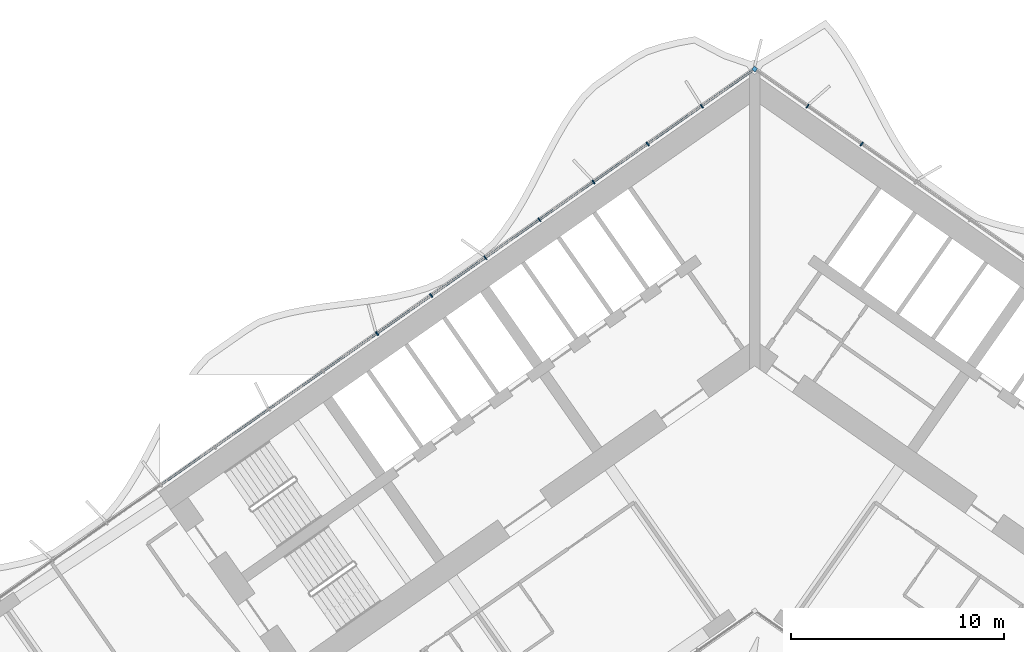
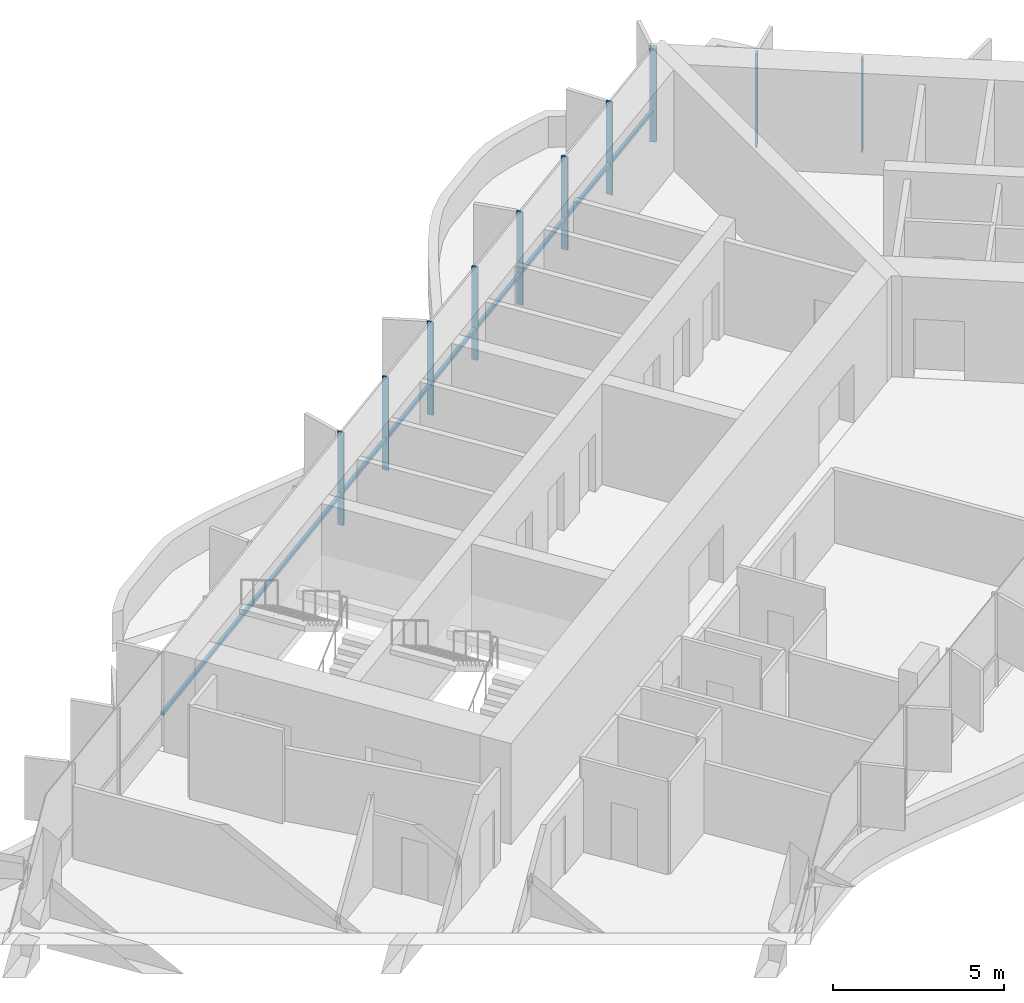
# One storey, part 7 of 23: 11 members, 1 element without a shape of its own.
"""IFC4 building model written with IfcOpenShell, lengths in metres."""

from ifc_helpers import new_model, si_unit, direction, frame, origin, origin_2d, place, context, subcontext, project, spatial, rectangle, extrude, material, material_profile, profile_set, type_object, element, aggregate, save


model = new_model("IFC4")

# Units and contexts
model_context = context("Model", 3, precision=1e-05, world=origin(), true_north=direction((0.0, 1.0)))
body_context = subcontext(model_context, "Body", "Model", "MODEL_VIEW")
ifc_project = project(units=[si_unit("LENGTHUNIT", "METRE"), si_unit("AREAUNIT", "SQUARE_METRE"), si_unit("VOLUMEUNIT", "CUBIC_METRE"), si_unit("PLANEANGLEUNIT", "RADIAN"), si_unit("MASSUNIT", "GRAM", prefix="KILO")], contexts=[model_context])

# Site, building, storey
site_placement = place(None, origin())
site = spatial("IfcSite", under=ifc_project, at=site_placement, CompositionType="ELEMENT")
building_placement = place(site_placement, origin())
building = spatial("IfcBuilding", under=site, at=building_placement, Name="Tel Ilan Convention Tower", CompositionType="ELEMENT")
storey_placement = place(building_placement, frame((0.0, 0.0, 108.5)))
storey = spatial("IfcBuildingStorey", under=building, at=storey_placement, Name="L23", CompositionType="ELEMENT", Elevation=108.5)

# Curtain wall, members
ifc_material_1 = material(Name="Aluminium, bronze anodised", Category="aluminium")
curtain_wall_type = type_object("IfcCurtainWallType", Name="CW2 STICK CURTAIN WALL, SPANDREL PANELS", PredefinedType="NOTDEFINED", material=ifc_material_1)
curtain_wall_placement = place(storey_placement, origin())
curtain_wall = element("IfcCurtainWall", 1, at=curtain_wall_placement, inside=storey, type_object=curtain_wall_type, Name="Curtain wall CW2-19.01", PredefinedType="NOTDEFINED")
ifc_material_2 = material(Name="Aluminium, bronze anodised", Category="aluminium")
ifc_material_profile_1 = material_profile(ifc_material_2, rectangle(XDim=0.199951171875, YDim=0.199951171875, at=origin_2d()), Name="CW CORNER MULLION 200x200")
ifc_profile_set_1 = profile_set([ifc_material_profile_1], Name="Aluminium, bronze anodised")
member_type_1 = type_object("IfcMemberType", Name="CW CORNER MULLION 200x200", PredefinedType="MULLION", material=ifc_profile_set_1)
member_1_placement = place(storey_placement, frame((0.0, 12.696044921875, 0.0), z_axis=(0.0, 0.0, 1.0), x_axis=(-0.819152044289, 0.573576436351, 0.0)))
member_1 = element("IfcMember", 2, at=member_1_placement, type_object=member_type_1, Name="Corner mullion", PredefinedType="MULLION", context=body_context, shape_type="SweptSolid", body=[
    extrude(rectangle(XDim=0.199951171875, YDim=0.199951171875, at=origin_2d()), origin(), (0.0, 0.0, 1.0), 3.320068359375),
])
ifc_material_3 = material(Name="Aluminium, bronze anodised", Category="aluminium")
ifc_material_profile_2 = material_profile(ifc_material_3, rectangle(XDim=0.06005859375, YDim=0.199951171875, at=origin_2d()), Name="CW MULLION 60x200")
ifc_profile_set_2 = profile_set([ifc_material_profile_2], Name="Aluminium, bronze anodised")
member_type_2 = type_object("IfcMemberType", Name="CW MULLION 60x200", PredefinedType="MULLION", material=ifc_profile_set_2)
member_2_placement = place(storey_placement, frame((5.0166015625, 9.18359375, 0.0), z_axis=(0.0, 0.0, 1.0), x_axis=(-0.819152044289, 0.573576436351, 0.0)))
member_2 = element("IfcMember", 3, at=member_2_placement, type_object=member_type_2, Name="Mullion", PredefinedType="MULLION", context=body_context, shape_type="SweptSolid", body=[
    extrude(rectangle(XDim=0.06005859375, YDim=0.199951171875, at=origin_2d()), origin(), (0.0, 0.0, 1.0), 3.320068359375),
])
member_3_placement = place(storey_placement, frame((2.4794921875, 10.9599609375, 0.0), z_axis=(0.0, 0.0, 1.0), x_axis=(-0.819152044289, 0.573576436351, 0.0)))
member_3 = element("IfcMember", 4, at=member_3_placement, type_object=member_type_2, Name="Mullion", PredefinedType="MULLION", context=body_context, shape_type="SweptSolid", body=[
    extrude(rectangle(XDim=0.06005859375, YDim=0.199951171875, at=origin_2d()), origin(), (0.0, 0.0, 1.0), 3.320068359375),
])
member_4_placement = place(storey_placement, frame((-2.4794921875, 10.9599609375, 0.0), z_axis=(0.0, 0.0, 1.0), x_axis=(-0.819152044289, -0.573576436351, 0.0)))
member_4 = element("IfcMember", 5, at=member_4_placement, type_object=member_type_2, Name="Mullion", PredefinedType="MULLION", context=body_context, shape_type="SweptSolid", body=[
    extrude(rectangle(XDim=0.06005859375, YDim=0.199951171875, at=origin_2d()), origin(), (0.0, 0.0, 1.0), 3.320068359375),
])
member_5_placement = place(storey_placement, frame((-5.0166015625, 9.18359375, 0.0), z_axis=(0.0, 0.0, 1.0), x_axis=(-0.819152044289, -0.573576436351, 0.0)))
member_5 = element("IfcMember", 6, at=member_5_placement, type_object=member_type_2, Name="Mullion", PredefinedType="MULLION", context=body_context, shape_type="SweptSolid", body=[
    extrude(rectangle(XDim=0.06005859375, YDim=0.199951171875, at=origin_2d()), origin(), (0.0, 0.0, 1.0), 3.320068359375),
])
member_6_placement = place(storey_placement, frame((-7.553466796875, 7.406982421875, 0.0), z_axis=(0.0, 0.0, 1.0), x_axis=(-0.819152044289, -0.573576436351, 0.0)))
member_6 = element("IfcMember", 7, at=member_6_placement, type_object=member_type_2, Name="Mullion", PredefinedType="MULLION", context=body_context, shape_type="SweptSolid", body=[
    extrude(rectangle(XDim=0.06005859375, YDim=0.199951171875, at=origin_2d()), origin(), (0.0, 0.0, 1.0), 3.320068359375),
])
member_7_placement = place(storey_placement, frame((-10.09033203125, 5.630615234375, 0.0), z_axis=(0.0, 0.0, 1.0), x_axis=(-0.819152044289, -0.573576436351, 0.0)))
member_7 = element("IfcMember", 8, at=member_7_placement, type_object=member_type_2, Name="Mullion", PredefinedType="MULLION", context=body_context, shape_type="SweptSolid", body=[
    extrude(rectangle(XDim=0.06005859375, YDim=0.199951171875, at=origin_2d()), origin(), (0.0, 0.0, 1.0), 3.320068359375),
])
member_8_placement = place(storey_placement, frame((-12.627197265625, 3.854248046875, 0.0), z_axis=(0.0, 0.0, 1.0), x_axis=(-0.819152044289, -0.573576436351, 0.0)))
member_8 = element("IfcMember", 9, at=member_8_placement, type_object=member_type_2, Name="Mullion", PredefinedType="MULLION", context=body_context, shape_type="SweptSolid", body=[
    extrude(rectangle(XDim=0.06005859375, YDim=0.199951171875, at=origin_2d()), origin(), (0.0, 0.0, 1.0), 3.320068359375),
])
member_9_placement = place(storey_placement, frame((-15.1640625, 2.077880859375, 0.0), z_axis=(0.0, 0.0, 1.0), x_axis=(-0.819152044289, -0.573576436351, 0.0)))
member_9 = element("IfcMember", 10, at=member_9_placement, type_object=member_type_2, Name="Mullion", PredefinedType="MULLION", context=body_context, shape_type="SweptSolid", body=[
    extrude(rectangle(XDim=0.06005859375, YDim=0.199951171875, at=origin_2d()), origin(), (0.0, 0.0, 1.0), 3.320068359375),
])
member_10_placement = place(storey_placement, frame((-17.701171875, 0.301513671875, 0.0), z_axis=(0.0, 0.0, 1.0), x_axis=(-0.819152044289, -0.573576436351, 0.0)))
member_10 = element("IfcMember", 11, at=member_10_placement, type_object=member_type_2, Name="Mullion", PredefinedType="MULLION", context=body_context, shape_type="SweptSolid", body=[
    extrude(rectangle(XDim=0.06005859375, YDim=0.199951171875, at=origin_2d()), origin(), (0.0, 0.0, 1.0), 3.320068359375),
])
ifc_material_4 = material(Name="Aluminium, bronze anodised", Category="aluminium")
ifc_material_profile_3 = material_profile(ifc_material_4, rectangle(XDim=0.10009765625, YDim=0.1201171875, at=origin_2d()), Name="CW TRANSOM 100x120")
ifc_profile_set_3 = profile_set([ifc_material_profile_3], Name="Aluminium, bronze anodised")
member_type_3 = type_object("IfcMemberType", Name="CW TRANSOM 100x120", PredefinedType="USERDEFINED", material=ifc_profile_set_3)
member_11_placement = place(storey_placement, frame((-0.1064453125, 12.62158203125, 1.10009765625), z_axis=(-0.819151916241, -0.573576619222, 0.0), x_axis=(0.573576619222, -0.819151916241, 0.0)))
member_11 = element("IfcMember", 12, at=member_11_placement, type_object=member_type_3, Name="Transom", ObjectType="TRANSOM", PredefinedType="USERDEFINED", context=body_context, shape_type="SweptSolid", body=[
    extrude(rectangle(XDim=0.10009765625, YDim=0.1201171875, at=origin_2d()), origin(), (0.0, 0.0, 1.0), 33.837158203125),
])
aggregate(curtain_wall, [member_2, member_3, member_1, member_4, member_5, member_6, member_7, member_8, member_9, member_10, member_11])

save(model, "model.ifc")
